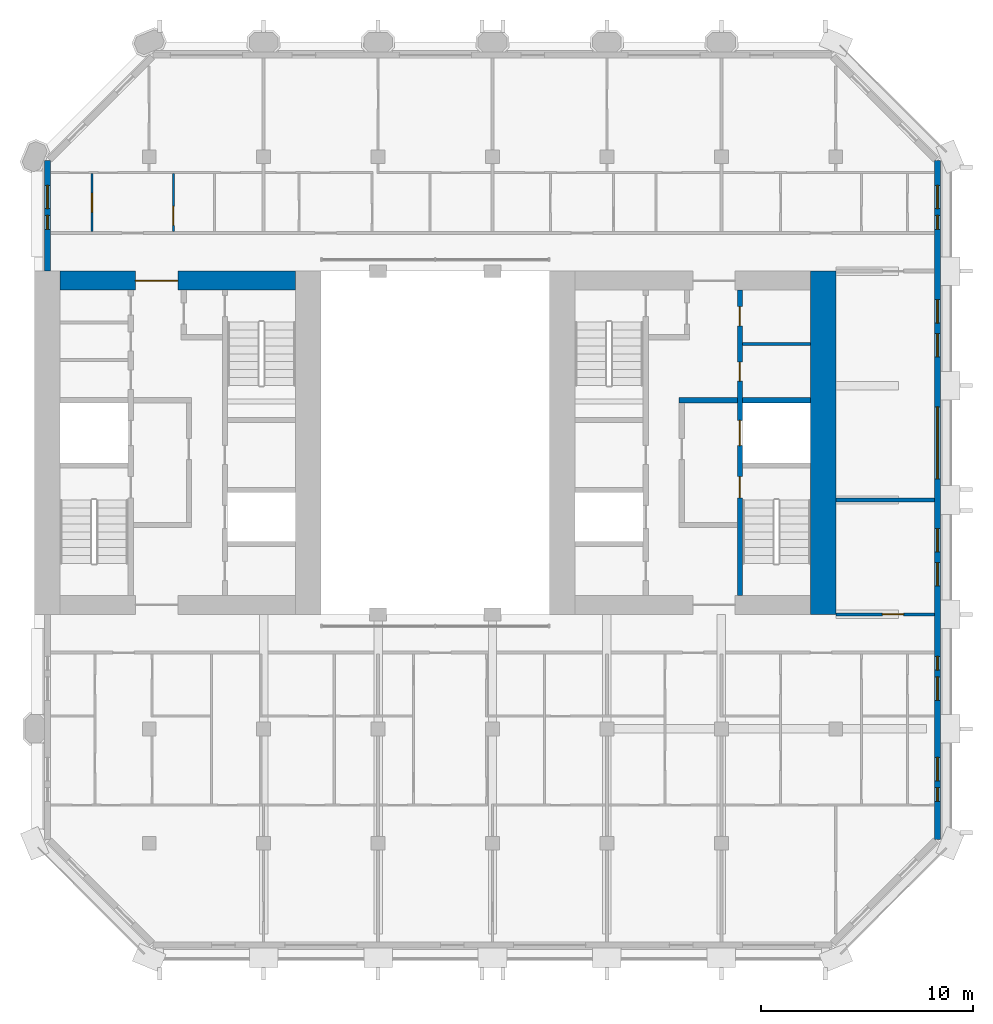
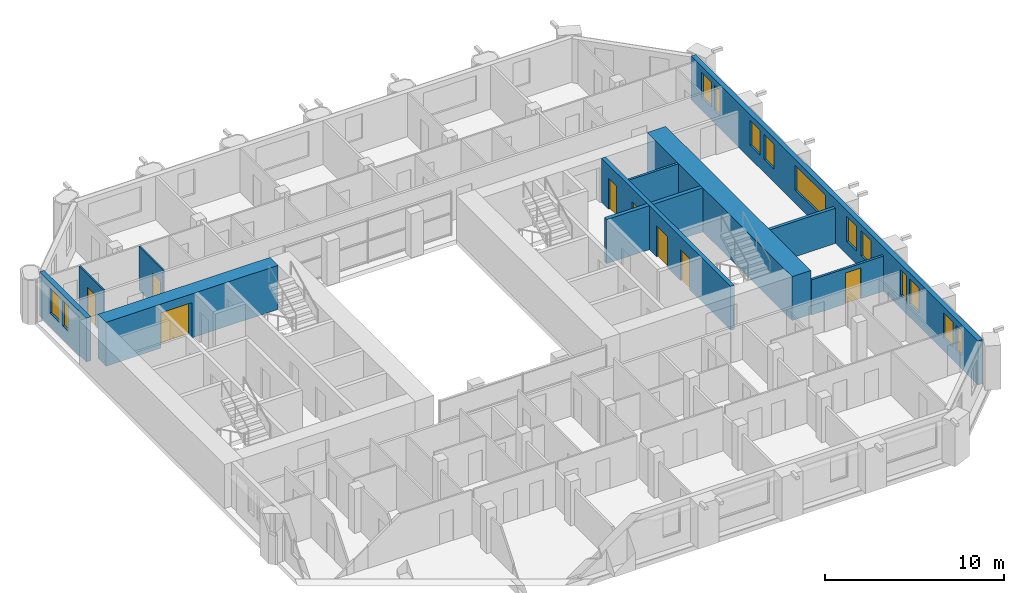
# One storey, part 9 of 14: 13 windows, 12 walls, 8 doors, 21 openings.
"""IFC4 building model written with IfcOpenShell, lengths in metres."""

from ifc_helpers import new_model, si_unit, direction, frame, frame_2d, origin, place, context, subcontext, project, spatial, rectangle, extrude, material, layer, layer_set, type_object, element, fill, save


model = new_model("IFC4")

# Units and contexts
model_context = context("Model", 3, precision=1e-05, world=origin(), true_north=direction((0.0, 1.0)))
body_context = subcontext(model_context, "Body", "Model", "MODEL_VIEW")
ifc_project = project(units=[si_unit("LENGTHUNIT", "METRE"), si_unit("AREAUNIT", "SQUARE_METRE"), si_unit("VOLUMEUNIT", "CUBIC_METRE"), si_unit("PLANEANGLEUNIT", "RADIAN"), si_unit("MASSUNIT", "GRAM", prefix="KILO")], contexts=[model_context])

# Site, building, storey
site_placement = place(None, origin())
site = spatial("IfcSite", under=ifc_project, at=site_placement, CompositionType="ELEMENT")
building_placement = place(site_placement, origin())
building = spatial("IfcBuilding", under=site, at=building_placement, Name="Tabaq Tower and Sports Hall", CompositionType="ELEMENT")
storey_placement = place(building_placement, frame((0.0, 0.0, 275.199951171875)))
storey = spatial("IfcBuildingStorey", under=building, at=storey_placement, Name="L67", CompositionType="ELEMENT", Elevation=275.199951171875)

# Walls
ifc_material_1 = material(Name="Blockwork", Category="masonry")
ifc_layer_1 = layer(ifc_material_1, 0.14990234375)
ifc_layer_set_1 = layer_set([ifc_layer_1], Name="Core room partition 150 Blockwork")
wall_type_1 = type_object("IfcWallType", Name="Core room partition 150 Blockwork", PredefinedType="PARTITIONING", material=ifc_layer_set_1)
wall_1_placement = place(storey_placement, frame((38.800048828125, 28.962890625, 0.0), z_axis=(0.0, 0.0, 1.0), x_axis=(1.0, 0.0, 0.0)))
element("IfcWall", 1, at=wall_1_placement, inside=storey, type_object=wall_type_1, Name="Core room partition E L67", PredefinedType="PARTITIONING", context=body_context, shape_type="SweptSolid", body=[
    extrude(rectangle(XDim=3.199951171875, YDim=0.14990234375, at=frame_2d((1.60009765625, 0.0))), origin(), (0.0, 0.0, 1.0), 3.0),
])
ifc_material_2 = material(Name="Concrete C40/50", Category="concrete")
ifc_layer_2 = layer(ifc_material_2, 1.199951171875)
ifc_layer_set_2 = layer_set([ifc_layer_2], Name="Core wall 1200 Concrete C40/50")
wall_type_2 = type_object("IfcWallType", Name="Core wall 1200 Concrete C40/50", PredefinedType="SOLIDWALL", material=ifc_layer_set_2)
wall_2_placement = place(storey_placement, frame((42.60009765625, 32.39990234375, 0.0), z_axis=(0.0, 0.0, 1.0), x_axis=(0.0, -1.0, 0.0)))
element("IfcWall", 2, at=wall_2_placement, inside=storey, type_object=wall_type_2, Name="Core wall E L67", PredefinedType="SOLIDWALL", context=body_context, shape_type="SweptSolid", body=[
    extrude(rectangle(XDim=16.199951171875, YDim=1.199951171875, at=frame_2d((8.10009765625, 0.0))), origin(), (0.0, 0.0, 1.0), 3.0),
])

# Wall, opening, door
ifc_material_3 = material(Name="Concrete C40/50", Category="concrete")
ifc_layer_3 = layer(ifc_material_3, 0.89990234375)
ifc_layer_set_3 = layer_set([ifc_layer_3], Name="Core wall 900 Concrete C40/50")
wall_type_3 = type_object("IfcWallType", Name="Core wall 900 Concrete C40/50", PredefinedType="SOLIDWALL", material=ifc_layer_set_3)
wall_3_placement = place(storey_placement, frame((6.60009765625, 31.949951171875, 0.0), z_axis=(0.0, 0.0, 1.0), x_axis=(1.0, 0.0, 0.0)))
wall_3 = element("IfcWall", 3, at=wall_3_placement, inside=storey, type_object=wall_type_3, Name="Core wall W L67", PredefinedType="SOLIDWALL", context=body_context, shape_type="SweptSolid", body=[
    extrude(rectangle(XDim=11.099853515625, YDim=0.89990234375, at=frame_2d((5.5498046875, 0.0))), origin(), (0.0, 0.0, 1.0), 3.0),
])
opening_1_placement = place(wall_3_placement, frame((3.550048828125, 0.0, 0.0)))
opening_1 = element("IfcOpeningElement", 4, at=opening_1_placement, cuts=wall_3, Name="Opening PD-WL67-02", PredefinedType="OPENING", context=body_context, shape_type="SweptSolid", body=[
    extrude(rectangle(XDim=2.0, YDim=2.39990234375, at=frame_2d((1.0, 1.199951171875))), frame((0.0, 0.449951171875, 0.0), z_axis=(0.0, -1.0, 0.0), x_axis=(1.0, 0.0, 0.0)), (0.0, 0.0, 1.0), 0.89990234375),
])
ifc_material_4 = material(Name="Steel fire door", Category="steel")
door_type_1 = type_object("IfcDoorType", Name="Core entrance door 2000", OperationType="DOUBLE_DOOR_SINGLE_SWING", PredefinedType="DOOR", material=ifc_material_4)
door_1_placement = place(opening_1_placement, origin())
door_1 = element("IfcDoor", 5, at=door_1_placement, inside=storey, type_object=door_type_1, Name="Core entrance north W L67", OperationType="DOUBLE_DOOR_SINGLE_SWING", OverallHeight=2.39990234375, OverallWidth=2.0, PredefinedType="DOOR", context=body_context, shape_type="SweptSolid", body=[
    extrude(rectangle(XDim=2.0, YDim=2.39990234375, at=frame_2d((1.0, 1.199951171875))), frame((0.0, 0.02490234375, 0.0), z_axis=(0.0, -1.0, 0.0), x_axis=(1.0, 0.0, 0.0)), (0.0, 0.0, 1.0), 0.050048828125),
])
fill(opening_1, door_1)

# Wall
ifc_material_5 = material(Name="Blockwork", Category="masonry")
ifc_layer_4 = layer(ifc_material_5, 0.199951171875)
ifc_layer_set_4 = layer_set([ifc_layer_4], Name="Fire compartment wall 200 Blockwork")
wall_type_4 = type_object("IfcWallType", Name="Fire compartment wall 200 Blockwork", PredefinedType="PARTITIONING", material=ifc_layer_set_4)
wall_4_placement = place(storey_placement, frame((43.199951171875, 21.60009765625, 0.0), z_axis=(0.0, 0.0, 1.0), x_axis=(1.0, 0.0, 0.0)))
element("IfcWall", 6, at=wall_4_placement, inside=storey, type_object=wall_type_4, Name="Compartment wall L67", PredefinedType="PARTITIONING", context=body_context, shape_type="SweptSolid", body=[
    extrude(rectangle(XDim=4.649169921875, YDim=0.199951171875, at=frame_2d((2.32470703125, 0.0))), origin(), (0.0, 0.0, 1.0), 2.400146484375),
])

# Wall, opening, door
ifc_material_6 = material(Name="Gypsum board on steel studs", Category="steel")
ifc_layer_5 = layer(ifc_material_6, 0.10009765625)
ifc_layer_set_5 = layer_set([ifc_layer_5], Name="Partition 100 Gypsum board")
wall_type_5 = type_object("IfcWallType", Name="Partition 100 Gypsum board", PredefinedType="PARTITIONING", material=ifc_layer_set_5)
wall_5_placement = place(storey_placement, frame((8.10009765625, 34.27490234375, 0.0), z_axis=(0.0, 0.0, 1.0), x_axis=(0.0, 1.0, 0.0)))
wall_5 = element("IfcWall", 7, at=wall_5_placement, inside=storey, type_object=wall_type_5, Name="Partition wall L67", PredefinedType="PARTITIONING", context=body_context, shape_type="SweptSolid", body=[
    extrude(rectangle(XDim=2.72509765625, YDim=0.10009765625, at=frame_2d((1.362548828125, 0.0))), origin(), (0.0, 0.0, 1.0), 3.0),
])
opening_2_placement = place(wall_5_placement, frame((0.89990234375, 0.0, 0.0)))
opening_2 = element("IfcOpeningElement", 8, at=opening_2_placement, cuts=wall_5, Name="Opening L67-026", PredefinedType="OPENING", context=body_context, shape_type="SweptSolid", body=[
    extrude(rectangle(XDim=0.89990234375, YDim=2.10009765625, at=frame_2d((0.449951171875, 1.050048828125))), frame((0.0, 0.050048828125, 0.0), z_axis=(0.0, -1.0, 0.0), x_axis=(1.0, 0.0, 0.0)), (0.0, 0.0, 1.0), 0.10009765625),
])
ifc_material_7 = material(Name="Timber leaf in steel frame", Category="steel")
door_type_2 = type_object("IfcDoorType", Name="Internal door 900 left hand", OperationType="SINGLE_SWING_LEFT", PredefinedType="DOOR", material=ifc_material_7)
door_2_placement = place(opening_2_placement, origin())
door_2 = element("IfcDoor", 9, at=door_2_placement, inside=storey, type_object=door_type_2, Name="Internal door L67-026", OperationType="SINGLE_SWING_LEFT", OverallHeight=2.10009765625, OverallWidth=0.89990234375, PredefinedType="DOOR", context=body_context, shape_type="SweptSolid", body=[
    extrude(rectangle(XDim=0.89990234375, YDim=2.10009765625, at=frame_2d((0.449951171875, 1.050048828125))), frame((0.0, 0.02490234375, 0.0), z_axis=(0.0, -1.0, 0.0), x_axis=(1.0, 0.0, 0.0)), (0.0, 0.0, 1.0), 0.050048828125),
])
fill(opening_2, door_2)

wall_6_placement = place(storey_placement, frame((11.93994140625, 34.27490234375, 0.0), z_axis=(0.0, 0.0, 1.0), x_axis=(0.0, 1.0, 0.0)))
wall_6 = element("IfcWall", 10, at=wall_6_placement, inside=storey, type_object=wall_type_5, Name="Partition wall L67", PredefinedType="PARTITIONING", context=body_context, shape_type="SweptSolid", body=[
    extrude(rectangle(XDim=2.72509765625, YDim=0.10009765625, at=frame_2d((1.362548828125, 0.0))), origin(), (0.0, 0.0, 1.0), 3.0),
])
opening_3_placement = place(wall_6_placement, frame((0.281005859375, 0.0, 0.0)))
opening_3 = element("IfcOpeningElement", 11, at=opening_3_placement, cuts=wall_6, Name="Opening L67-002", PredefinedType="OPENING", context=body_context, shape_type="SweptSolid", body=[
    extrude(rectangle(XDim=0.89990234375, YDim=2.10009765625, at=frame_2d((0.449951171875, 1.050048828125))), frame((0.0, 0.050048828125, 0.0), z_axis=(0.0, -1.0, 0.0), x_axis=(1.0, 0.0, 0.0)), (0.0, 0.0, 1.0), 0.10009765625),
])
door_3_placement = place(opening_3_placement, origin())
door_3 = element("IfcDoor", 12, at=door_3_placement, inside=storey, type_object=door_type_2, Name="Internal door L67-002", OperationType="SINGLE_SWING_LEFT", OverallHeight=2.10009765625, OverallWidth=0.89990234375, PredefinedType="DOOR", context=body_context, shape_type="SweptSolid", body=[
    extrude(rectangle(XDim=0.89990234375, YDim=2.10009765625, at=frame_2d((0.449951171875, 1.050048828125))), frame((0.0, 0.02490234375, 0.0), z_axis=(0.0, -1.0, 0.0), x_axis=(1.0, 0.0, 0.0)), (0.0, 0.0, 1.0), 0.050048828125),
])
fill(opening_3, door_3)

ifc_material_8 = material(Name="Blockwork", Category="masonry")
ifc_layer_6 = layer(ifc_material_8, 0.14990234375)
ifc_layer_set_6 = layer_set([ifc_layer_6], Name="Separating wall 150 Blockwork")
wall_type_6 = type_object("IfcWallType", Name="Separating wall 150 Blockwork", PredefinedType="PARTITIONING", material=ifc_layer_set_6)
wall_7_placement = place(storey_placement, frame((43.199951171875, 16.199951171875, 0.0), z_axis=(0.0, 0.0, 1.0), x_axis=(1.0, 0.0, 0.0)))
wall_7 = element("IfcWall", 13, at=wall_7_placement, inside=storey, type_object=wall_type_6, Name="Separating wall L67", PredefinedType="PARTITIONING", context=body_context, shape_type="SweptSolid", body=[
    extrude(rectangle(XDim=4.649169921875, YDim=0.14990234375, at=frame_2d((2.32470703125, 0.0))), origin(), (0.0, 0.0, 1.0), 2.400146484375),
])
opening_4_placement = place(wall_7_placement, frame((2.199951171875, 0.0, 0.0)))
opening_4 = element("IfcOpeningElement", 14, at=opening_4_placement, cuts=wall_7, Name="Opening L67-023", PredefinedType="OPENING", context=body_context, shape_type="SweptSolid", body=[
    extrude(rectangle(XDim=1.0, YDim=2.10009765625, at=frame_2d((0.5, 1.050048828125))), frame((0.0, 0.074951171875, 0.0), z_axis=(0.0, -1.0, 0.0), x_axis=(1.0, 0.0, 0.0)), (0.0, 0.0, 1.0), 0.14990234375),
])
ifc_material_9 = material(Name="Timber leaf in steel frame", Category="steel")
door_type_3 = type_object("IfcDoorType", Name="Internal door 1000 right hand", OperationType="SINGLE_SWING_RIGHT", PredefinedType="DOOR", material=ifc_material_9)
door_4_placement = place(opening_4_placement, origin())
door_4 = element("IfcDoor", 15, at=door_4_placement, inside=storey, type_object=door_type_3, Name="Internal door L67-023", OperationType="SINGLE_SWING_RIGHT", OverallHeight=2.10009765625, OverallWidth=1.0, PredefinedType="DOOR", context=body_context, shape_type="SweptSolid", body=[
    extrude(rectangle(XDim=1.0, YDim=2.10009765625, at=frame_2d((0.5, 1.050048828125))), frame((0.0, 0.02490234375, 0.0), z_axis=(0.0, -1.0, 0.0), x_axis=(1.0, 0.0, 0.0)), (0.0, 0.0, 1.0), 0.050048828125),
])
fill(opening_4, door_4)

# Wall, openings, doors
ifc_material_10 = material(Name="Concrete C40/50", Category="concrete")
ifc_layer_7 = layer(ifc_material_10, 0.25)
ifc_layer_set_7 = layer_set([ifc_layer_7], Name="Shaft and stair wall 250 Concrete C40/50")
wall_type_7 = type_object("IfcWallType", Name="Shaft and stair wall 250 Concrete C40/50", PredefinedType="SOLIDWALL", material=ifc_layer_set_7)
wall_8_placement = place(storey_placement, frame((38.675048828125, 17.10009765625, 0.0), z_axis=(0.0, 0.0, 1.0), x_axis=(0.0, 1.0, 0.0)))
wall_8 = element("IfcWall", 16, at=wall_8_placement, inside=storey, type_object=wall_type_7, Name="Shaft wall E L67", PredefinedType="SOLIDWALL", context=body_context, shape_type="SweptSolid", body=[
    extrude(rectangle(XDim=14.39990234375, YDim=0.25, at=frame_2d((7.199951171875, 0.0))), origin(), (0.0, 0.0, 1.0), 3.0),
])
opening_5_placement = place(wall_8_placement, frame((4.60009765625, 0.0, 0.0)))
opening_5 = element("IfcOpeningElement", 17, at=opening_5_placement, cuts=wall_8, Name="Opening SD-EL67-03", PredefinedType="OPENING", context=body_context, shape_type="SweptSolid", body=[
    extrude(rectangle(XDim=1.0, YDim=2.10009765625, at=frame_2d((0.5, 1.050048828125))), frame((0.0, 0.125, 0.0), z_axis=(0.0, -1.0, 0.0), x_axis=(1.0, 0.0, 0.0)), (0.0, 0.0, 1.0), 0.25),
])
opening_6_placement = place(wall_8_placement, frame((7.0625, 0.0, 0.0)))
opening_6 = element("IfcOpeningElement", 18, at=opening_6_placement, cuts=wall_8, Name="Opening LD-FF2-L67", PredefinedType="OPENING", context=body_context, shape_type="SweptSolid", body=[
    extrude(rectangle(XDim=1.199951171875, YDim=2.10009765625, at=frame_2d((0.60009765625, 1.050048828125))), frame((0.0, 0.125, 0.0), z_axis=(0.0, -1.0, 0.0), x_axis=(1.0, 0.0, 0.0)), (0.0, 0.0, 1.0), 0.25),
])
opening_7_placement = place(wall_8_placement, frame((10.1064453125, 0.0, 0.0)))
opening_7 = element("IfcOpeningElement", 19, at=opening_7_placement, cuts=wall_8, Name="Opening RD-EL67-09", PredefinedType="OPENING", context=body_context, shape_type="SweptSolid", body=[
    extrude(rectangle(XDim=0.89990234375, YDim=2.10009765625, at=frame_2d((0.449951171875, 1.050048828125))), frame((0.0, 0.125, 0.0), z_axis=(0.0, -1.0, 0.0), x_axis=(1.0, 0.0, 0.0)), (0.0, 0.0, 1.0), 0.25),
])
opening_8_placement = place(wall_8_placement, frame((12.718994140625, 0.0, 0.0)))
opening_8 = element("IfcOpeningElement", 20, at=opening_8_placement, cuts=wall_8, Name="Opening RD-EL67-10", PredefinedType="OPENING", context=body_context, shape_type="SweptSolid", body=[
    extrude(rectangle(XDim=0.89990234375, YDim=2.10009765625, at=frame_2d((0.449951171875, 1.050048828125))), frame((0.0, 0.125, 0.0), z_axis=(0.0, -1.0, 0.0), x_axis=(1.0, 0.0, 0.0)), (0.0, 0.0, 1.0), 0.25),
])
ifc_material_11 = material(Name="Steel fire door", Category="steel")
door_type_4 = type_object("IfcDoorType", Name="Core room door 900", OperationType="SINGLE_SWING_LEFT", PredefinedType="DOOR", material=ifc_material_11)
door_5_placement = place(opening_7_placement, origin())
door_5 = element("IfcDoor", 21, at=door_5_placement, inside=storey, type_object=door_type_4, Name="Door Housekeeping Store E L67", OperationType="SINGLE_SWING_LEFT", OverallHeight=2.10009765625, OverallWidth=0.89990234375, PredefinedType="DOOR", context=body_context, shape_type="SweptSolid", body=[
    extrude(rectangle(XDim=0.89990234375, YDim=2.10009765625, at=frame_2d((0.449951171875, 1.050048828125))), frame((0.0, 0.02490234375, 0.0), z_axis=(0.0, -1.0, 0.0), x_axis=(1.0, 0.0, 0.0)), (0.0, 0.0, 1.0), 0.050048828125),
])
fill(opening_7, door_5)
door_6_placement = place(opening_8_placement, origin())
door_6 = element("IfcDoor", 22, at=door_6_placement, inside=storey, type_object=door_type_4, Name="Door Riser Room E L67", OperationType="SINGLE_SWING_LEFT", OverallHeight=2.10009765625, OverallWidth=0.89990234375, PredefinedType="DOOR", context=body_context, shape_type="SweptSolid", body=[
    extrude(rectangle(XDim=0.89990234375, YDim=2.10009765625, at=frame_2d((0.449951171875, 1.050048828125))), frame((0.0, 0.02490234375, 0.0), z_axis=(0.0, -1.0, 0.0), x_axis=(1.0, 0.0, 0.0)), (0.0, 0.0, 1.0), 0.050048828125),
])
fill(opening_8, door_6)
ifc_material_12 = material(Name="Stainless steel", Category="steel")
door_type_5 = type_object("IfcDoorType", Name="Lift landing door 1200", OperationType="DOUBLE_DOOR_SLIDING", PredefinedType="DOOR", material=ifc_material_12)
door_7_placement = place(opening_6_placement, origin())
door_7 = element("IfcDoor", 23, at=door_7_placement, inside=storey, type_object=door_type_5, Name="Lift landing door FF2 E L67", OperationType="DOUBLE_DOOR_SLIDING", OverallHeight=2.10009765625, OverallWidth=1.199951171875, PredefinedType="DOOR", context=body_context, shape_type="SweptSolid", body=[
    extrude(rectangle(XDim=1.199951171875, YDim=2.10009765625, at=frame_2d((0.60009765625, 1.050048828125))), frame((0.0, 0.02490234375, 0.0), z_axis=(0.0, -1.0, 0.0), x_axis=(1.0, 0.0, 0.0)), (0.0, 0.0, 1.0), 0.050048828125),
])
fill(opening_6, door_7)
ifc_material_13 = material(Name="Steel fire door", Category="steel")
door_type_6 = type_object("IfcDoorType", Name="Stair door 1000", OperationType="SINGLE_SWING_LEFT", PredefinedType="DOOR", material=ifc_material_13)
door_8_placement = place(opening_5_placement, origin())
door_8 = element("IfcDoor", 24, at=door_8_placement, inside=storey, type_object=door_type_6, Name="Stair door ST3 E L67", OperationType="SINGLE_SWING_LEFT", OverallHeight=2.10009765625, OverallWidth=1.0, PredefinedType="DOOR", context=body_context, shape_type="SweptSolid", body=[
    extrude(rectangle(XDim=1.0, YDim=2.10009765625, at=frame_2d((0.5, 1.050048828125))), frame((0.0, 0.02490234375, 0.0), z_axis=(0.0, -1.0, 0.0), x_axis=(1.0, 0.0, 0.0)), (0.0, 0.0, 1.0), 0.050048828125),
])
fill(opening_5, door_8)

# Walls
wall_9_placement = place(storey_placement, frame((38.800048828125, 26.300048828125, 0.0), z_axis=(0.0, 0.0, 1.0), x_axis=(1.0, 0.0, 0.0)))
element("IfcWall", 25, at=wall_9_placement, inside=storey, type_object=wall_type_7, Name="Shaft wall E L67", PredefinedType="SOLIDWALL", context=body_context, shape_type="SweptSolid", body=[
    extrude(rectangle(XDim=3.199951171875, YDim=0.25, at=frame_2d((1.60009765625, 0.0))), origin(), (0.0, 0.0, 1.0), 3.0),
])
wall_10_placement = place(storey_placement, frame((35.800048828125, 26.300048828125, 0.0), z_axis=(0.0, 0.0, 1.0), x_axis=(1.0, 0.0, 0.0)))
element("IfcWall", 26, at=wall_10_placement, inside=storey, type_object=wall_type_7, Name="Fire-fighting lobby wall E L67", PredefinedType="SOLIDWALL", context=body_context, shape_type="SweptSolid", body=[
    extrude(rectangle(XDim=2.75, YDim=0.25, at=frame_2d((1.375, 0.0))), origin(), (0.0, 0.0, 1.0), 3.0),
])

# Wall, openings, windows
ifc_material_14 = material(Name="White precast concrete C60/75", Category="concrete")
ifc_layer_8 = layer(ifc_material_14, 0.300048828125)
ifc_layer_set_8 = layer_set([ifc_layer_8], Name="White precast concrete C60/75 external wall 300")
wall_type_8 = type_object("IfcWallType", Name="White precast concrete C60/75 external wall 300", PredefinedType="SOLIDWALL", material=ifc_layer_set_8)
wall_11_placement = place(storey_placement, frame((48.0, 5.58642578125, 0.0), z_axis=(0.0, 0.0, 1.0), x_axis=(0.0, 1.0, 0.0)))
wall_11 = element("IfcWall", 27, at=wall_11_placement, inside=storey, type_object=wall_type_8, Name="External Wall L67 E", PredefinedType="SOLIDWALL", context=body_context, shape_type="SweptSolid", body=[
    extrude(rectangle(XDim=32.027099609375, YDim=0.300048828125, at=frame_2d((16.013671875, 0.0))), origin(), (0.0, 0.0, 1.0), 3.0),
])
opening_9_placement = place(wall_11_placement, frame((1.78857421875, 0.0, 0.89990234375)))
opening_9 = element("IfcOpeningElement", 28, at=opening_9_placement, cuts=wall_11, Name="Opening W1C", PredefinedType="OPENING", context=body_context, shape_type="SweptSolid", body=[
    extrude(rectangle(XDim=0.64990234375, YDim=1.699951171875, at=frame_2d((0.324951171875, 0.85009765625))), frame((0.0, 0.16015625, 0.0), z_axis=(0.0, -1.0, 0.0), x_axis=(1.0, 0.0, 0.0)), (0.0, 0.0, 1.0), 0.320068359375),
])
opening_10_placement = place(wall_11_placement, frame((2.763671875, 0.0, 0.89990234375)))
opening_10 = element("IfcOpeningElement", 29, at=opening_10_placement, cuts=wall_11, Name="Opening W1B", PredefinedType="OPENING", context=body_context, shape_type="SweptSolid", body=[
    extrude(rectangle(XDim=1.10009765625, YDim=1.699951171875, at=frame_2d((0.550048828125, 0.85009765625))), frame((0.0, 0.16015625, 0.0), z_axis=(0.0, -1.0, 0.0), x_axis=(1.0, 0.0, 0.0)), (0.0, 0.0, 1.0), 0.320068359375),
])
opening_11_placement = place(wall_11_placement, frame((6.563720703125, 0.0, 0.89990234375)))
opening_11 = element("IfcOpeningElement", 30, at=opening_11_placement, cuts=wall_11, Name="Opening W1B", PredefinedType="OPENING", context=body_context, shape_type="SweptSolid", body=[
    extrude(rectangle(XDim=1.10009765625, YDim=1.699951171875, at=frame_2d((0.550048828125, 0.85009765625))), frame((0.0, 0.16015625, 0.0), z_axis=(0.0, -1.0, 0.0), x_axis=(1.0, 0.0, 0.0)), (0.0, 0.0, 1.0), 0.320068359375),
])
opening_12_placement = place(wall_11_placement, frame((7.988525390625, 0.0, 0.89990234375)))
opening_12 = element("IfcOpeningElement", 31, at=opening_12_placement, cuts=wall_11, Name="Opening W1C", PredefinedType="OPENING", context=body_context, shape_type="SweptSolid", body=[
    extrude(rectangle(XDim=0.64990234375, YDim=1.699951171875, at=frame_2d((0.324951171875, 0.85009765625))), frame((0.0, 0.16015625, 0.0), z_axis=(0.0, -1.0, 0.0), x_axis=(1.0, 0.0, 0.0)), (0.0, 0.0, 1.0), 0.320068359375),
])
opening_13_placement = place(wall_11_placement, frame((11.963623046875, 0.0, 0.89990234375)))
opening_13 = element("IfcOpeningElement", 32, at=opening_13_placement, cuts=wall_11, Name="Opening W1B", PredefinedType="OPENING", context=body_context, shape_type="SweptSolid", body=[
    extrude(rectangle(XDim=1.10009765625, YDim=1.699951171875, at=frame_2d((0.550048828125, 0.85009765625))), frame((0.0, 0.16015625, 0.0), z_axis=(0.0, -1.0, 0.0), x_axis=(1.0, 0.0, 0.0)), (0.0, 0.0, 1.0), 0.320068359375),
])
opening_14_placement = place(wall_11_placement, frame((13.563720703125, 0.0, 0.89990234375)))
opening_14 = element("IfcOpeningElement", 33, at=opening_14_placement, cuts=wall_11, Name="Opening W1B", PredefinedType="OPENING", context=body_context, shape_type="SweptSolid", body=[
    extrude(rectangle(XDim=1.10009765625, YDim=1.699951171875, at=frame_2d((0.550048828125, 0.85009765625))), frame((0.0, 0.16015625, 0.0), z_axis=(0.0, -1.0, 0.0), x_axis=(1.0, 0.0, 0.0)), (0.0, 0.0, 1.0), 0.320068359375),
])
opening_15_placement = place(wall_11_placement, frame((17.013671875, 0.0, 0.89990234375)))
opening_15 = element("IfcOpeningElement", 34, at=opening_15_placement, cuts=wall_11, Name="Opening W1A", PredefinedType="OPENING", context=body_context, shape_type="SweptSolid", body=[
    extrude(rectangle(XDim=3.39990234375, YDim=1.699951171875, at=frame_2d((1.699951171875, 0.85009765625))), frame((0.0, 0.16015625, 0.0), z_axis=(0.0, -1.0, 0.0), x_axis=(1.0, 0.0, 0.0)), (0.0, 0.0, 1.0), 0.320068359375),
])
opening_16_placement = place(wall_11_placement, frame((22.763671875, 0.0, 0.89990234375)))
opening_16 = element("IfcOpeningElement", 35, at=opening_16_placement, cuts=wall_11, Name="Opening W1B", PredefinedType="OPENING", context=body_context, shape_type="SweptSolid", body=[
    extrude(rectangle(XDim=1.10009765625, YDim=1.699951171875, at=frame_2d((0.550048828125, 0.85009765625))), frame((0.0, 0.16015625, 0.0), z_axis=(0.0, -1.0, 0.0), x_axis=(1.0, 0.0, 0.0)), (0.0, 0.0, 1.0), 0.320068359375),
])
opening_17_placement = place(wall_11_placement, frame((24.363525390625, 0.0, 0.89990234375)))
opening_17 = element("IfcOpeningElement", 36, at=opening_17_placement, cuts=wall_11, Name="Opening W1B", PredefinedType="OPENING", context=body_context, shape_type="SweptSolid", body=[
    extrude(rectangle(XDim=1.10009765625, YDim=1.699951171875, at=frame_2d((0.550048828125, 0.85009765625))), frame((0.0, 0.16015625, 0.0), z_axis=(0.0, -1.0, 0.0), x_axis=(1.0, 0.0, 0.0)), (0.0, 0.0, 1.0), 0.320068359375),
])
opening_18_placement = place(wall_11_placement, frame((28.78857421875, 0.0, 0.89990234375)))
opening_18 = element("IfcOpeningElement", 37, at=opening_18_placement, cuts=wall_11, Name="Opening W1C", PredefinedType="OPENING", context=body_context, shape_type="SweptSolid", body=[
    extrude(rectangle(XDim=0.64990234375, YDim=1.699951171875, at=frame_2d((0.324951171875, 0.85009765625))), frame((0.0, 0.16015625, 0.0), z_axis=(0.0, -1.0, 0.0), x_axis=(1.0, 0.0, 0.0)), (0.0, 0.0, 1.0), 0.320068359375),
])
opening_19_placement = place(wall_11_placement, frame((29.763671875, 0.0, 0.89990234375)))
opening_19 = element("IfcOpeningElement", 38, at=opening_19_placement, cuts=wall_11, Name="Opening W1B", PredefinedType="OPENING", context=body_context, shape_type="SweptSolid", body=[
    extrude(rectangle(XDim=1.10009765625, YDim=1.699951171875, at=frame_2d((0.550048828125, 0.85009765625))), frame((0.0, 0.16015625, 0.0), z_axis=(0.0, -1.0, 0.0), x_axis=(1.0, 0.0, 0.0)), (0.0, 0.0, 1.0), 0.320068359375),
])
ifc_material_15 = material(Name="Aluminium framed clear glazing", Category="aluminium")
window_type_1 = type_object("IfcWindowType", Name="Window W1A", PartitioningType="SINGLE_PANEL", PredefinedType="WINDOW", material=ifc_material_15)
window_1_placement = place(opening_15_placement, origin())
window_1 = element("IfcWindow", 39, at=window_1_placement, inside=storey, type_object=window_type_1, Name="Window W1A L67", OverallHeight=1.699951171875, OverallWidth=3.39990234375, PartitioningType="SINGLE_PANEL", PredefinedType="WINDOW", context=body_context, shape_type="SweptSolid", body=[
    extrude(rectangle(XDim=3.39990234375, YDim=1.699951171875, at=frame_2d((1.699951171875, 0.85009765625))), frame((0.0, 0.030029296875, 0.0), z_axis=(0.0, -1.0, 0.0), x_axis=(1.0, 0.0, 0.0)), (0.0, 0.0, 1.0), 0.06005859375),
])
fill(opening_15, window_1)
ifc_material_16 = material(Name="Aluminium framed clear glazing", Category="aluminium")
window_type_2 = type_object("IfcWindowType", Name="Window W1B", PartitioningType="SINGLE_PANEL", PredefinedType="WINDOW", material=ifc_material_16)
window_2_placement = place(opening_10_placement, origin())
window_2 = element("IfcWindow", 40, at=window_2_placement, inside=storey, type_object=window_type_2, Name="Window W1B L67", OverallHeight=1.699951171875, OverallWidth=1.10009765625, PartitioningType="SINGLE_PANEL", PredefinedType="WINDOW", context=body_context, shape_type="SweptSolid", body=[
    extrude(rectangle(XDim=1.10009765625, YDim=1.699951171875, at=frame_2d((0.550048828125, 0.85009765625))), frame((0.0, 0.030029296875, 0.0), z_axis=(0.0, -1.0, 0.0), x_axis=(1.0, 0.0, 0.0)), (0.0, 0.0, 1.0), 0.06005859375),
])
fill(opening_10, window_2)
window_3_placement = place(opening_11_placement, origin())
window_3 = element("IfcWindow", 41, at=window_3_placement, inside=storey, type_object=window_type_2, Name="Window W1B L67", OverallHeight=1.699951171875, OverallWidth=1.10009765625, PartitioningType="SINGLE_PANEL", PredefinedType="WINDOW", context=body_context, shape_type="SweptSolid", body=[
    extrude(rectangle(XDim=1.10009765625, YDim=1.699951171875, at=frame_2d((0.550048828125, 0.85009765625))), frame((0.0, 0.030029296875, 0.0), z_axis=(0.0, -1.0, 0.0), x_axis=(1.0, 0.0, 0.0)), (0.0, 0.0, 1.0), 0.06005859375),
])
fill(opening_11, window_3)
window_4_placement = place(opening_13_placement, origin())
window_4 = element("IfcWindow", 42, at=window_4_placement, inside=storey, type_object=window_type_2, Name="Window W1B L67", OverallHeight=1.699951171875, OverallWidth=1.10009765625, PartitioningType="SINGLE_PANEL", PredefinedType="WINDOW", context=body_context, shape_type="SweptSolid", body=[
    extrude(rectangle(XDim=1.10009765625, YDim=1.699951171875, at=frame_2d((0.550048828125, 0.85009765625))), frame((0.0, 0.030029296875, 0.0), z_axis=(0.0, -1.0, 0.0), x_axis=(1.0, 0.0, 0.0)), (0.0, 0.0, 1.0), 0.06005859375),
])
fill(opening_13, window_4)
window_5_placement = place(opening_14_placement, origin())
window_5 = element("IfcWindow", 43, at=window_5_placement, inside=storey, type_object=window_type_2, Name="Window W1B L67", OverallHeight=1.699951171875, OverallWidth=1.10009765625, PartitioningType="SINGLE_PANEL", PredefinedType="WINDOW", context=body_context, shape_type="SweptSolid", body=[
    extrude(rectangle(XDim=1.10009765625, YDim=1.699951171875, at=frame_2d((0.550048828125, 0.85009765625))), frame((0.0, 0.030029296875, 0.0), z_axis=(0.0, -1.0, 0.0), x_axis=(1.0, 0.0, 0.0)), (0.0, 0.0, 1.0), 0.06005859375),
])
fill(opening_14, window_5)
window_6_placement = place(opening_16_placement, origin())
window_6 = element("IfcWindow", 44, at=window_6_placement, inside=storey, type_object=window_type_2, Name="Window W1B L67", OverallHeight=1.699951171875, OverallWidth=1.10009765625, PartitioningType="SINGLE_PANEL", PredefinedType="WINDOW", context=body_context, shape_type="SweptSolid", body=[
    extrude(rectangle(XDim=1.10009765625, YDim=1.699951171875, at=frame_2d((0.550048828125, 0.85009765625))), frame((0.0, 0.030029296875, 0.0), z_axis=(0.0, -1.0, 0.0), x_axis=(1.0, 0.0, 0.0)), (0.0, 0.0, 1.0), 0.06005859375),
])
fill(opening_16, window_6)
window_7_placement = place(opening_17_placement, origin())
window_7 = element("IfcWindow", 45, at=window_7_placement, inside=storey, type_object=window_type_2, Name="Window W1B L67", OverallHeight=1.699951171875, OverallWidth=1.10009765625, PartitioningType="SINGLE_PANEL", PredefinedType="WINDOW", context=body_context, shape_type="SweptSolid", body=[
    extrude(rectangle(XDim=1.10009765625, YDim=1.699951171875, at=frame_2d((0.550048828125, 0.85009765625))), frame((0.0, 0.030029296875, 0.0), z_axis=(0.0, -1.0, 0.0), x_axis=(1.0, 0.0, 0.0)), (0.0, 0.0, 1.0), 0.06005859375),
])
fill(opening_17, window_7)
window_8_placement = place(opening_19_placement, origin())
window_8 = element("IfcWindow", 46, at=window_8_placement, inside=storey, type_object=window_type_2, Name="Window W1B L67", OverallHeight=1.699951171875, OverallWidth=1.10009765625, PartitioningType="SINGLE_PANEL", PredefinedType="WINDOW", context=body_context, shape_type="SweptSolid", body=[
    extrude(rectangle(XDim=1.10009765625, YDim=1.699951171875, at=frame_2d((0.550048828125, 0.85009765625))), frame((0.0, 0.030029296875, 0.0), z_axis=(0.0, -1.0, 0.0), x_axis=(1.0, 0.0, 0.0)), (0.0, 0.0, 1.0), 0.06005859375),
])
fill(opening_19, window_8)
ifc_material_17 = material(Name="Aluminium framed clear glazing", Category="aluminium")
window_type_3 = type_object("IfcWindowType", Name="Window W1C", PartitioningType="SINGLE_PANEL", PredefinedType="WINDOW", material=ifc_material_17)
window_9_placement = place(opening_9_placement, origin())
window_9 = element("IfcWindow", 47, at=window_9_placement, inside=storey, type_object=window_type_3, Name="Window W1C L67", OverallHeight=1.699951171875, OverallWidth=0.64990234375, PartitioningType="SINGLE_PANEL", PredefinedType="WINDOW", context=body_context, shape_type="SweptSolid", body=[
    extrude(rectangle(XDim=0.64990234375, YDim=1.699951171875, at=frame_2d((0.324951171875, 0.85009765625))), frame((0.0, 0.030029296875, 0.0), z_axis=(0.0, -1.0, 0.0), x_axis=(1.0, 0.0, 0.0)), (0.0, 0.0, 1.0), 0.06005859375),
])
fill(opening_9, window_9)
window_10_placement = place(opening_12_placement, origin())
window_10 = element("IfcWindow", 48, at=window_10_placement, inside=storey, type_object=window_type_3, Name="Window W1C L67", OverallHeight=1.699951171875, OverallWidth=0.64990234375, PartitioningType="SINGLE_PANEL", PredefinedType="WINDOW", context=body_context, shape_type="SweptSolid", body=[
    extrude(rectangle(XDim=0.64990234375, YDim=1.699951171875, at=frame_2d((0.324951171875, 0.85009765625))), frame((0.0, 0.030029296875, 0.0), z_axis=(0.0, -1.0, 0.0), x_axis=(1.0, 0.0, 0.0)), (0.0, 0.0, 1.0), 0.06005859375),
])
fill(opening_12, window_10)
window_11_placement = place(opening_18_placement, origin())
window_11 = element("IfcWindow", 49, at=window_11_placement, inside=storey, type_object=window_type_3, Name="Window W1C L67", OverallHeight=1.699951171875, OverallWidth=0.64990234375, PartitioningType="SINGLE_PANEL", PredefinedType="WINDOW", context=body_context, shape_type="SweptSolid", body=[
    extrude(rectangle(XDim=0.64990234375, YDim=1.699951171875, at=frame_2d((0.324951171875, 0.85009765625))), frame((0.0, 0.030029296875, 0.0), z_axis=(0.0, -1.0, 0.0), x_axis=(1.0, 0.0, 0.0)), (0.0, 0.0, 1.0), 0.06005859375),
])
fill(opening_18, window_11)

wall_12_placement = place(storey_placement, frame((6.0, 37.613525390625, 0.0), z_axis=(0.0, 0.0, 1.0), x_axis=(0.0, -1.0, 0.0)))
wall_12 = element("IfcWall", 50, at=wall_12_placement, inside=storey, type_object=wall_type_8, Name="External Wall L67 W", PredefinedType="SOLIDWALL", context=body_context, shape_type="SweptSolid", body=[
    extrude(rectangle(XDim=5.213623046875, YDim=0.300048828125, at=frame_2d((2.60693359375, 0.0))), origin(), (0.0, 0.0, 1.0), 3.0),
])
opening_20_placement = place(wall_12_placement, frame((1.16357421875, 0.0, 0.89990234375)))
opening_20 = element("IfcOpeningElement", 51, at=opening_20_placement, cuts=wall_12, Name="Opening W1B", PredefinedType="OPENING", context=body_context, shape_type="SweptSolid", body=[
    extrude(rectangle(XDim=1.10009765625, YDim=1.699951171875, at=frame_2d((0.550048828125, 0.85009765625))), frame((0.0, 0.16015625, 0.0), z_axis=(0.0, -1.0, 0.0), x_axis=(1.0, 0.0, 0.0)), (0.0, 0.0, 1.0), 0.320068359375),
])
opening_21_placement = place(wall_12_placement, frame((2.588623046875, 0.0, 0.89990234375)))
opening_21 = element("IfcOpeningElement", 52, at=opening_21_placement, cuts=wall_12, Name="Opening W1C", PredefinedType="OPENING", context=body_context, shape_type="SweptSolid", body=[
    extrude(rectangle(XDim=0.64990234375, YDim=1.699951171875, at=frame_2d((0.324951171875, 0.85009765625))), frame((0.0, 0.16015625, 0.0), z_axis=(0.0, -1.0, 0.0), x_axis=(1.0, 0.0, 0.0)), (0.0, 0.0, 1.0), 0.320068359375),
])
window_12_placement = place(opening_20_placement, origin())
window_12 = element("IfcWindow", 53, at=window_12_placement, inside=storey, type_object=window_type_2, Name="Window W1B L67", OverallHeight=1.699951171875, OverallWidth=1.10009765625, PartitioningType="SINGLE_PANEL", PredefinedType="WINDOW", context=body_context, shape_type="SweptSolid", body=[
    extrude(rectangle(XDim=1.10009765625, YDim=1.699951171875, at=frame_2d((0.550048828125, 0.85009765625))), frame((0.0, 0.030029296875, 0.0), z_axis=(0.0, -1.0, 0.0), x_axis=(1.0, 0.0, 0.0)), (0.0, 0.0, 1.0), 0.06005859375),
])
fill(opening_20, window_12)
window_13_placement = place(opening_21_placement, origin())
window_13 = element("IfcWindow", 54, at=window_13_placement, inside=storey, type_object=window_type_3, Name="Window W1C L67", OverallHeight=1.699951171875, OverallWidth=0.64990234375, PartitioningType="SINGLE_PANEL", PredefinedType="WINDOW", context=body_context, shape_type="SweptSolid", body=[
    extrude(rectangle(XDim=0.64990234375, YDim=1.699951171875, at=frame_2d((0.324951171875, 0.85009765625))), frame((0.0, 0.030029296875, 0.0), z_axis=(0.0, -1.0, 0.0), x_axis=(1.0, 0.0, 0.0)), (0.0, 0.0, 1.0), 0.06005859375),
])
fill(opening_21, window_13)

save(model, "model.ifc")
